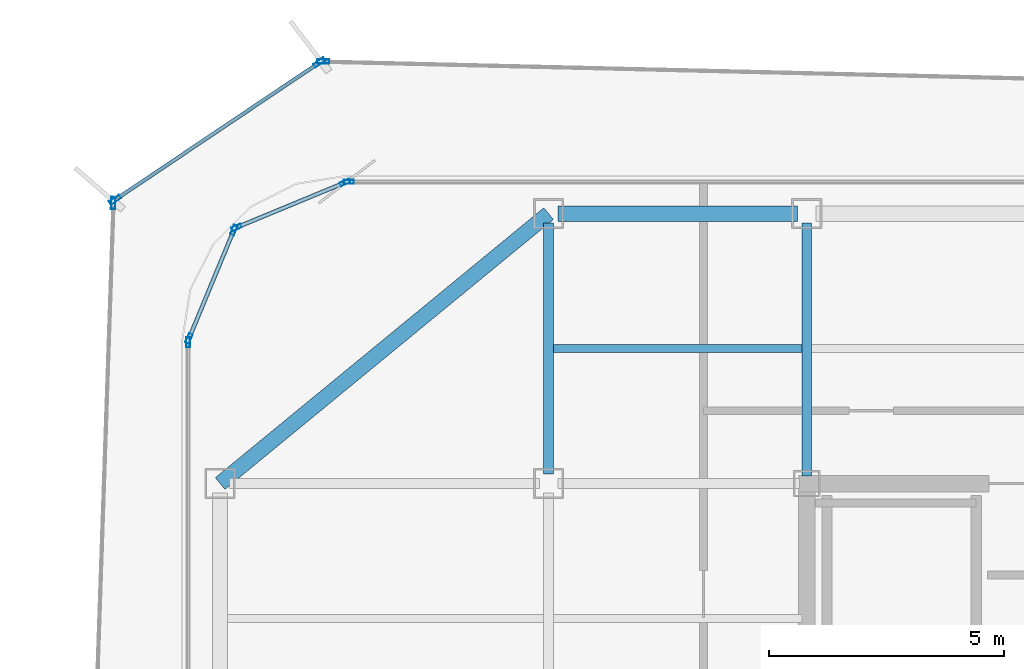
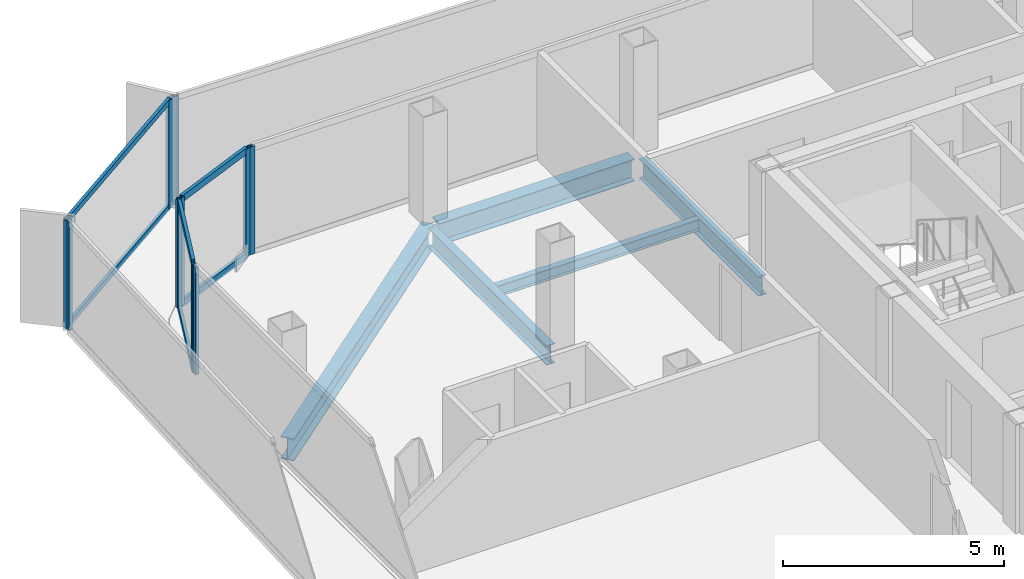
# One storey, part 6 of 15: 16 members, 5 beams, 7 elements without a shape of their own.
"""IFC4 building model written with IfcOpenShell, lengths in metres."""

from ifc_helpers import new_model, si_unit, direction, frame, origin, origin_2d, place, context, subcontext, project, spatial, hollow_rectangle, i_section, extrude, source, transform, mapped, material, layer, layer_set, material_profile, profile_set, type_object, element, aggregate, save


model = new_model("IFC4")

# Units and contexts
model_context = context("Model", 3, precision=1e-05, world=origin(), true_north=direction((0.0, 1.0)))
body_context = subcontext(model_context, "Body", "Model", "MODEL_VIEW")
ifc_project = project(units=[si_unit("LENGTHUNIT", "METRE"), si_unit("AREAUNIT", "SQUARE_METRE"), si_unit("VOLUMEUNIT", "CUBIC_METRE"), si_unit("PLANEANGLEUNIT", "RADIAN"), si_unit("MASSUNIT", "GRAM", prefix="KILO")], contexts=[model_context])

# Site, building, storey
site_placement = place(None, origin())
site = spatial("IfcSite", under=ifc_project, at=site_placement, CompositionType="ELEMENT")
building_placement = place(site_placement, origin())
building = spatial("IfcBuilding", under=site, at=building_placement, Name="Kolveth Station Tower", CompositionType="ELEMENT")
storey_placement = place(building_placement, frame((0.0, 0.0, 248.89990234375)))
storey = spatial("IfcBuildingStorey", under=building, at=storey_placement, Name="L71", CompositionType="ELEMENT", Elevation=248.89990234375)

# Beams
ifc_material_1 = material(Name="Steel S355", Category="steel")
ifc_material_profile_1 = material_profile(ifc_material_1, i_section(OverallWidth=0.323974609375, OverallDepth=0.611083984375, WebThickness=0.0126953125, FlangeThickness=0.01904296875, at=origin_2d()), Name="W610x155")
ifc_profile_set_1 = profile_set([ifc_material_profile_1], Name="Steel S355")
beam_type_1 = type_object("IfcBeamType", Name="Beam_SP2", PredefinedType="SPANDREL", material=ifc_profile_set_1)
shared_shape_1 = source(origin(), body_context, "Body", "SweptSolid", [
    extrude(i_section(OverallWidth=0.323974609375, OverallDepth=0.611083984375, WebThickness=0.0126953125, FlangeThickness=0.01904296875, at=origin_2d()), origin(), (0.0, 0.0, 1.0), 9.058837890625),
])
beam_1_placement = place(storey_placement, frame((13.0, 34.5, -0.525390625), z_axis=(-0.772726254525, -0.63473942336, 0.0), x_axis=(0.63473942336, -0.772726254525, 0.0)))
element("IfcBeam", 1, at=beam_1_placement, inside=storey, type_object=beam_type_1, Name="L71 Corner Edge Girder BM-L71-CNR-NW", PredefinedType="SPANDREL", context=body_context, shape_type="MappedRepresentation", body=[
    mapped(shared_shape_1, transform((0.0, 0.0, 0.0), x_axis=(1.0, 0.0, 0.0), y_axis=(0.0, 1.0, 0.0), z_axis=(0.0, 0.0, 1.0), scale=1.0)),
])
shared_shape_2 = source(origin(), body_context, "Body", "SweptSolid", [
    extrude(i_section(OverallWidth=0.323974609375, OverallDepth=0.611083984375, WebThickness=0.0126953125, FlangeThickness=0.01904296875, at=origin_2d()), origin(), (0.0, 0.0, 1.0), 5.10009765625),
])
beam_2_placement = place(storey_placement, frame((13.199951171875, 34.5, -0.525390625), z_axis=(1.0, 0.0, 0.0), x_axis=(0.0, 1.0, 0.0)))
element("IfcBeam", 2, at=beam_2_placement, inside=storey, type_object=beam_type_1, Name="L71 Perimeter Spandrel BM-L71-PN-1", PredefinedType="SPANDREL", context=body_context, shape_type="MappedRepresentation", body=[
    mapped(shared_shape_2, transform((0.0, 0.0, 0.0), x_axis=(1.0, 0.0, 0.0), y_axis=(0.0, 1.0, 0.0), z_axis=(0.0, 0.0, 1.0), scale=1.0)),
])
ifc_material_profile_2 = material_profile(ifc_material_1, i_section(OverallWidth=0.2099609375, OverallDepth=0.537109375, WebThickness=0.010986328125, FlangeThickness=0.017333984375, at=origin_2d()), Name="W530x101")
ifc_profile_set_2 = profile_set([ifc_material_profile_2], Name="Steel S355")
beam_type_2 = type_object("IfcBeamType", Name="Beam_B6", PredefinedType="BEAM", material=ifc_profile_set_2)
shared_shape_3 = source(origin(), body_context, "Body", "SweptSolid", [
    extrude(i_section(OverallWidth=0.2099609375, OverallDepth=0.537109375, WebThickness=0.010986328125, FlangeThickness=0.017333984375, at=origin_2d()), origin(), (0.0, 0.0, 1.0), 5.35009765625),
])
beam_3_placement = place(storey_placement, frame((13.0, 28.949951171875, -0.48828125), z_axis=(0.0, 1.0, 0.0), x_axis=(-1.0, 0.0, 0.0)))
element("IfcBeam", 3, at=beam_3_placement, inside=storey, type_object=beam_type_2, Name="L71 Primary Girder BM-L71-GX130-6", PredefinedType="BEAM", context=body_context, shape_type="MappedRepresentation", body=[
    mapped(shared_shape_3, transform((0.0, 0.0, 0.0), x_axis=(1.0, 0.0, 0.0), y_axis=(0.0, 1.0, 0.0), z_axis=(0.0, 0.0, 1.0), scale=1.0)),
])
shared_shape_4 = source(origin(), body_context, "Body", "SweptSolid", [
    extrude(i_section(OverallWidth=0.2099609375, OverallDepth=0.537109375, WebThickness=0.010986328125, FlangeThickness=0.017333984375, at=origin_2d()), origin(), (0.0, 0.0, 1.0), 5.39013671875),
])
beam_4_placement = place(storey_placement, frame((18.5, 28.909912109375, -0.48828125), z_axis=(0.0, 1.0, 0.0), x_axis=(-1.0, 0.0, 0.0)))
element("IfcBeam", 4, at=beam_4_placement, inside=storey, type_object=beam_type_2, Name="L71 Primary Girder BM-L71-GX185-6", PredefinedType="BEAM", context=body_context, shape_type="MappedRepresentation", body=[
    mapped(shared_shape_4, transform((0.0, 0.0, 0.0), x_axis=(1.0, 0.0, 0.0), y_axis=(0.0, 1.0, 0.0), z_axis=(0.0, 0.0, 1.0), scale=1.0)),
])
ifc_material_profile_3 = material_profile(ifc_material_1, i_section(OverallWidth=0.1650390625, OverallDepth=0.31005859375, WebThickness=0.005859375, FlangeThickness=0.009765625, at=origin_2d()), Name="W310x39")
ifc_profile_set_3 = profile_set([ifc_material_profile_3], Name="Steel S355")
beam_type_3 = type_object("IfcBeamType", Name="Beam_J3", PredefinedType="JOIST", material=ifc_profile_set_3)
shared_shape_5 = source(origin(), body_context, "Body", "SweptSolid", [
    extrude(i_section(OverallWidth=0.1650390625, OverallDepth=0.31005859375, WebThickness=0.005859375, FlangeThickness=0.009765625, at=origin_2d()), origin(), (0.0, 0.0, 1.0), 5.2939453125),
])
beam_5_placement = place(storey_placement, frame((13.10302734375, 31.625, -0.375), z_axis=(1.0, 0.0, 0.0), x_axis=(0.0, 1.0, 0.0)))
element("IfcBeam", 5, at=beam_5_placement, inside=storey, type_object=beam_type_3, Name="L71 Secondary Joist JST-L71-2-6", PredefinedType="JOIST", context=body_context, shape_type="MappedRepresentation", body=[
    mapped(shared_shape_5, transform((0.0, 0.0, 0.0), x_axis=(1.0, 0.0, 0.0), y_axis=(0.0, 1.0, 0.0), z_axis=(0.0, 0.0, 1.0), scale=1.0)),
])

# Curtain wall, member
ifc_material_2 = material(Name="Black anodized aluminium 6063-T6 and dark solar glass", Category="aluminium")
ifc_layer_1 = layer(ifc_material_2, 0.159912109375)
ifc_layer_set_1 = layer_set([ifc_layer_1], Name="Black anodized aluminium 6063-T6 and dark solar glass")
curtain_wall_type_1 = type_object("IfcCurtainWallType", Name="OUTER SKIN CW-OS", PredefinedType="NOTDEFINED", material=ifc_layer_set_1)
curtain_wall_1_placement = place(storey_placement, origin())
curtain_wall_1 = element("IfcCurtainWall", 6, at=curtain_wall_1_placement, inside=storey, type_object=curtain_wall_type_1, Name="L71 Outer Ventilated Skin Curtain Wall 4", PredefinedType="NOTDEFINED")
ifc_material_3 = material(Name="Black anodized aluminium 6063-T6", Category="aluminium")
ifc_material_profile_4 = material_profile(ifc_material_3, hollow_rectangle(XDim=0.090087890625, YDim=0.260009765625, WallThickness=0.0048828125, at=origin_2d()), Name="ALU-90x260x5")
ifc_profile_set_4 = profile_set([ifc_material_profile_4], Name="Black anodized aluminium 6063-T6")
member_type_1 = type_object("IfcMemberType", Name="FIN MULLION ML-OS", PredefinedType="MULLION", material=ifc_profile_set_4)
shared_shape_6 = source(origin(), body_context, "Body", "SweptSolid", [
    extrude(hollow_rectangle(XDim=0.090087890625, YDim=0.260009765625, WallThickness=0.0048828125, at=origin_2d()), origin(), (0.0, 0.0, 1.0), 2.989990234375),
])
member_1_placement = place(storey_placement, frame((8.197021484375, 37.744140625, 0.0), z_axis=(0.0, 0.0, 1.0), x_axis=(-0.023863686618, -0.999715221681, 0.0)))
member_1 = element("IfcMember", 7, at=member_1_placement, type_object=member_type_1, Name="CW-OS mullion 2", PredefinedType="MULLION", context=body_context, shape_type="MappedRepresentation", body=[
    mapped(shared_shape_6, transform((0.0, 0.0, 0.0), x_axis=(1.0, 0.0, 0.0), y_axis=(0.0, 1.0, 0.0), z_axis=(0.0, 0.0, 1.0), scale=1.0)),
])
aggregate(curtain_wall_1, [member_1])

# Curtain wall, members
curtain_wall_2_placement = place(storey_placement, origin())
curtain_wall_2 = element("IfcCurtainWall", 8, at=curtain_wall_2_placement, inside=storey, type_object=curtain_wall_type_1, Name="L71 Outer Ventilated Skin Curtain Wall 5", PredefinedType="NOTDEFINED")
member_2_placement = place(storey_placement, frame((8.11474609375, 37.72021484375, 0.0), z_axis=(0.0, 0.0, 1.0), x_axis=(0.557664548437, -0.830066413859, 0.0)))
member_2 = element("IfcMember", 9, at=member_2_placement, type_object=member_type_1, Name="CW-OS mullion 1", PredefinedType="MULLION", context=body_context, shape_type="MappedRepresentation", body=[
    mapped(shared_shape_6, transform((0.0, 0.0, 0.0), x_axis=(1.0, 0.0, 0.0), y_axis=(0.0, 1.0, 0.0), z_axis=(0.0, 0.0, 1.0), scale=1.0)),
])
member_3_placement = place(storey_placement, frame((3.761962890625, 34.7958984375, 0.0), z_axis=(0.0, 0.0, 1.0), x_axis=(0.557664548437, -0.830066413859, 0.0)))
member_3 = element("IfcMember", 10, at=member_3_placement, type_object=member_type_1, Name="CW-OS mullion 2", PredefinedType="MULLION", context=body_context, shape_type="MappedRepresentation", body=[
    mapped(shared_shape_6, transform((0.0, 0.0, 0.0), x_axis=(1.0, 0.0, 0.0), y_axis=(0.0, 1.0, 0.0), z_axis=(0.0, 0.0, 1.0), scale=1.0)),
])

# Curtain wall, member
curtain_wall_3_placement = place(storey_placement, origin())
curtain_wall_3 = element("IfcCurtainWall", 11, at=curtain_wall_3_placement, inside=storey, type_object=curtain_wall_type_1, Name="L71 Outer Ventilated Skin Curtain Wall 6", PredefinedType="NOTDEFINED")
member_4_placement = place(storey_placement, frame((3.722900390625, 34.725830078125, 0.0), z_axis=(0.0, 0.0, 1.0), x_axis=(0.999420923176, -0.034026729455, 0.0)))
member_4 = element("IfcMember", 12, at=member_4_placement, type_object=member_type_1, Name="CW-OS mullion 1", PredefinedType="MULLION", context=body_context, shape_type="MappedRepresentation", body=[
    mapped(shared_shape_6, transform((0.0, 0.0, 0.0), x_axis=(1.0, 0.0, 0.0), y_axis=(0.0, 1.0, 0.0), z_axis=(0.0, 0.0, 1.0), scale=1.0)),
])
aggregate(curtain_wall_3, [member_4])

ifc_material_4 = material(Name="Aluminium 6063-T6 and triple low-E dark glass", Category="aluminium")
ifc_layer_2 = layer(ifc_material_4, 0.199951171875)
ifc_layer_set_2 = layer_set([ifc_layer_2], Name="Aluminium 6063-T6 and triple low-E dark glass")
curtain_wall_type_2 = type_object("IfcCurtainWallType", Name="CurtainWall_CW-Z3", PredefinedType="NOTDEFINED", material=ifc_layer_set_2)
curtain_wall_4_placement = place(storey_placement, origin())
curtain_wall_4 = element("IfcCurtainWall", 13, at=curtain_wall_4_placement, inside=storey, type_object=curtain_wall_type_2, Name="L71 Inner Thermal Curtain Wall 6", PredefinedType="NOTDEFINED")
ifc_material_profile_5 = material_profile(ifc_material_3, hollow_rectangle(XDim=0.0849609375, YDim=0.215087890625, WallThickness=0.0048828125, at=origin_2d()), Name="ALU-85x215x5")
ifc_profile_set_5 = profile_set([ifc_material_profile_5], Name="Black anodized aluminium 6063-T6")
member_type_2 = type_object("IfcMemberType", Name="Mullion_ML3", PredefinedType="MULLION", material=ifc_profile_set_5)
shared_shape_7 = source(origin(), body_context, "Body", "SweptSolid", [
    extrude(hollow_rectangle(XDim=0.0849609375, YDim=0.215087890625, WallThickness=0.0048828125, at=origin_2d()), origin(), (0.0, 0.0, 1.0), 2.97998046875),
])
member_5_placement = place(storey_placement, frame((8.742431640625, 35.179931640625, 0.0), z_axis=(0.0, 0.0, 1.0), x_axis=(0.0, -1.0, 0.0)))
member_5 = element("IfcMember", 14, at=member_5_placement, type_object=member_type_2, Name="CW-Z3 mullion 2", PredefinedType="MULLION", context=body_context, shape_type="MappedRepresentation", body=[
    mapped(shared_shape_7, transform((0.0, 0.0, 0.0), x_axis=(1.0, 0.0, 0.0), y_axis=(0.0, 1.0, 0.0), z_axis=(0.0, 0.0, 1.0), scale=1.0)),
])
aggregate(curtain_wall_4, [member_5])

# Curtain wall, members
curtain_wall_5_placement = place(storey_placement, origin())
curtain_wall_5 = element("IfcCurtainWall", 15, at=curtain_wall_5_placement, inside=storey, type_object=curtain_wall_type_2, Name="L71 Inner Thermal Curtain Wall 7", PredefinedType="NOTDEFINED")
member_6_placement = place(storey_placement, frame((8.66064453125, 35.163818359375, 0.0), z_axis=(0.0, 0.0, 1.0), x_axis=(0.382693194181, -0.923875488975, 0.0)))
member_6 = element("IfcMember", 16, at=member_6_placement, type_object=member_type_2, Name="CW-Z3 mullion 1", PredefinedType="MULLION", context=body_context, shape_type="MappedRepresentation", body=[
    mapped(shared_shape_7, transform((0.0, 0.0, 0.0), x_axis=(1.0, 0.0, 0.0), y_axis=(0.0, 1.0, 0.0), z_axis=(0.0, 0.0, 1.0), scale=1.0)),
])
member_7_placement = place(storey_placement, frame((6.349365234375, 34.206298828125, 0.0), z_axis=(0.0, 0.0, 1.0), x_axis=(0.382693194181, -0.923875488975, 0.0)))
member_7 = element("IfcMember", 17, at=member_7_placement, type_object=member_type_2, Name="CW-Z3 mullion 2", PredefinedType="MULLION", context=body_context, shape_type="MappedRepresentation", body=[
    mapped(shared_shape_7, transform((0.0, 0.0, 0.0), x_axis=(1.0, 0.0, 0.0), y_axis=(0.0, 1.0, 0.0), z_axis=(0.0, 0.0, 1.0), scale=1.0)),
])

curtain_wall_6_placement = place(storey_placement, origin())
curtain_wall_6 = element("IfcCurtainWall", 18, at=curtain_wall_6_placement, inside=storey, type_object=curtain_wall_type_2, Name="L71 Inner Thermal Curtain Wall 8", PredefinedType="NOTDEFINED")
member_8_placement = place(storey_placement, frame((6.293701171875, 34.150634765625, 0.0), z_axis=(0.0, 0.0, 1.0), x_axis=(0.923875488975, -0.382693194181, 0.0)))
member_8 = element("IfcMember", 19, at=member_8_placement, type_object=member_type_2, Name="CW-Z3 mullion 1", PredefinedType="MULLION", context=body_context, shape_type="MappedRepresentation", body=[
    mapped(shared_shape_7, transform((0.0, 0.0, 0.0), x_axis=(1.0, 0.0, 0.0), y_axis=(0.0, 1.0, 0.0), z_axis=(0.0, 0.0, 1.0), scale=1.0)),
])
member_9_placement = place(storey_placement, frame((5.336181640625, 31.83935546875, 0.0), z_axis=(0.0, 0.0, 1.0), x_axis=(0.923875488975, -0.382693194181, 0.0)))
member_9 = element("IfcMember", 20, at=member_9_placement, type_object=member_type_2, Name="CW-Z3 mullion 2", PredefinedType="MULLION", context=body_context, shape_type="MappedRepresentation", body=[
    mapped(shared_shape_7, transform((0.0, 0.0, 0.0), x_axis=(1.0, 0.0, 0.0), y_axis=(0.0, 1.0, 0.0), z_axis=(0.0, 0.0, 1.0), scale=1.0)),
])

# Curtain wall, member
curtain_wall_7_placement = place(storey_placement, origin())
curtain_wall_7 = element("IfcCurtainWall", 21, at=curtain_wall_7_placement, inside=storey, type_object=curtain_wall_type_2, Name="L71 Inner Thermal Curtain Wall 9", PredefinedType="NOTDEFINED")
member_10_placement = place(storey_placement, frame((5.320068359375, 31.757568359375, 0.0), z_axis=(0.0, 0.0, 1.0), x_axis=(1.0, 0.0, 0.0)))
member_10 = element("IfcMember", 22, at=member_10_placement, type_object=member_type_2, Name="CW-Z3 mullion 1", PredefinedType="MULLION", context=body_context, shape_type="MappedRepresentation", body=[
    mapped(shared_shape_7, transform((0.0, 0.0, 0.0), x_axis=(1.0, 0.0, 0.0), y_axis=(0.0, 1.0, 0.0), z_axis=(0.0, 0.0, 1.0), scale=1.0)),
])
aggregate(curtain_wall_7, [member_10])

# Member
ifc_material_profile_6 = material_profile(ifc_material_3, hollow_rectangle(XDim=0.0849609375, YDim=0.179931640625, WallThickness=0.0048828125, at=origin_2d()), Name="ALU-85x180x5")
ifc_profile_set_6 = profile_set([ifc_material_profile_6], Name="Black anodized aluminium 6063-T6")
member_type_3 = type_object("IfcMemberType", Name="Transom_TR3", PredefinedType="USERDEFINED", material=ifc_profile_set_6)
shared_shape_8 = source(origin(), body_context, "Body", "SweptSolid", [
    extrude(hollow_rectangle(XDim=0.0849609375, YDim=0.179931640625, WallThickness=0.0048828125, at=origin_2d()), origin(), (0.0, 0.0, 1.0), 2.417236328125),
])
member_11_placement = place(storey_placement, frame((8.62158203125, 35.1474609375, 0.04248046875), z_axis=(-0.923872799448, -0.382699687013, 0.0), x_axis=(0.382699687013, -0.923872799448, 0.0)))
member_11 = element("IfcMember", 23, at=member_11_placement, type_object=member_type_3, Name="CW-Z3 transom 1.1", ObjectType="TRANSOM", PredefinedType="USERDEFINED", context=body_context, shape_type="MappedRepresentation", body=[
    mapped(shared_shape_8, transform((0.0, 0.0, 0.0), x_axis=(1.0, 0.0, 0.0), y_axis=(0.0, 1.0, 0.0), z_axis=(0.0, 0.0, 1.0), scale=1.0)),
])

member_12_placement = place(storey_placement, frame((8.62158203125, 35.1474609375, 2.9375), z_axis=(-0.923872799448, -0.382699687013, 0.0), x_axis=(0.382699687013, -0.923872799448, 0.0)))
member_12 = element("IfcMember", 24, at=member_12_placement, type_object=member_type_3, Name="CW-Z3 transom 1.2", ObjectType="TRANSOM", PredefinedType="USERDEFINED", context=body_context, shape_type="MappedRepresentation", body=[
    mapped(shared_shape_8, transform((0.0, 0.0, 0.0), x_axis=(1.0, 0.0, 0.0), y_axis=(0.0, 1.0, 0.0), z_axis=(0.0, 0.0, 1.0), scale=1.0)),
])

aggregate(curtain_wall_5, [member_6, member_7, member_11, member_12])

member_13_placement = place(storey_placement, frame((6.277587890625, 34.111572265625, 0.04248046875), z_axis=(-0.382699687013, -0.923872799448, 0.0), x_axis=(0.923872799448, -0.382699687013, 0.0)))
member_13 = element("IfcMember", 25, at=member_13_placement, type_object=member_type_3, Name="CW-Z3 transom 1.1", ObjectType="TRANSOM", PredefinedType="USERDEFINED", context=body_context, shape_type="MappedRepresentation", body=[
    mapped(shared_shape_8, transform((0.0, 0.0, 0.0), x_axis=(1.0, 0.0, 0.0), y_axis=(0.0, 1.0, 0.0), z_axis=(0.0, 0.0, 1.0), scale=1.0)),
])

member_14_placement = place(storey_placement, frame((6.277587890625, 34.111572265625, 2.9375), z_axis=(-0.382699687013, -0.923872799448, 0.0), x_axis=(0.923872799448, -0.382699687013, 0.0)))
member_14 = element("IfcMember", 26, at=member_14_placement, type_object=member_type_3, Name="CW-Z3 transom 1.2", ObjectType="TRANSOM", PredefinedType="USERDEFINED", context=body_context, shape_type="MappedRepresentation", body=[
    mapped(shared_shape_8, transform((0.0, 0.0, 0.0), x_axis=(1.0, 0.0, 0.0), y_axis=(0.0, 1.0, 0.0), z_axis=(0.0, 0.0, 1.0), scale=1.0)),
])

aggregate(curtain_wall_6, [member_8, member_9, member_13, member_14])

ifc_material_profile_7 = material_profile(ifc_material_3, hollow_rectangle(XDim=0.080078125, YDim=0.14990234375, WallThickness=0.0048828125, at=origin_2d()), Name="ALU-80x150x5")
ifc_profile_set_7 = profile_set([ifc_material_profile_7], Name="Black anodized aluminium 6063-T6")
member_type_4 = type_object("IfcMemberType", Name="Transom_TR-OS", PredefinedType="USERDEFINED", material=ifc_profile_set_7)
shared_shape_9 = source(origin(), body_context, "Body", "SweptSolid", [
    extrude(hollow_rectangle(XDim=0.080078125, YDim=0.14990234375, WallThickness=0.0048828125, at=origin_2d()), origin(), (0.0, 0.0, 1.0), 5.154052734375),
])
member_15_placement = place(storey_placement, frame((8.077392578125, 37.695068359375, 0.0400390625), z_axis=(-0.830055424311, -0.55768090569, 0.0), x_axis=(0.55768090569, -0.830055424311, 0.0)))
member_15 = element("IfcMember", 27, at=member_15_placement, type_object=member_type_4, Name="CW-OS transom 1.1", ObjectType="TRANSOM", PredefinedType="USERDEFINED", context=body_context, shape_type="MappedRepresentation", body=[
    mapped(shared_shape_9, transform((0.0, 0.0, 0.0), x_axis=(1.0, 0.0, 0.0), y_axis=(0.0, 1.0, 0.0), z_axis=(0.0, 0.0, 1.0), scale=1.0)),
])

member_16_placement = place(storey_placement, frame((8.077392578125, 37.695068359375, 2.9501953125), z_axis=(-0.830055424311, -0.55768090569, 0.0), x_axis=(0.55768090569, -0.830055424311, 0.0)))
member_16 = element("IfcMember", 28, at=member_16_placement, type_object=member_type_4, Name="CW-OS transom 1.2", ObjectType="TRANSOM", PredefinedType="USERDEFINED", context=body_context, shape_type="MappedRepresentation", body=[
    mapped(shared_shape_9, transform((0.0, 0.0, 0.0), x_axis=(1.0, 0.0, 0.0), y_axis=(0.0, 1.0, 0.0), z_axis=(0.0, 0.0, 1.0), scale=1.0)),
])

aggregate(curtain_wall_2, [member_2, member_3, member_15, member_16])

save(model, "model.ifc")
